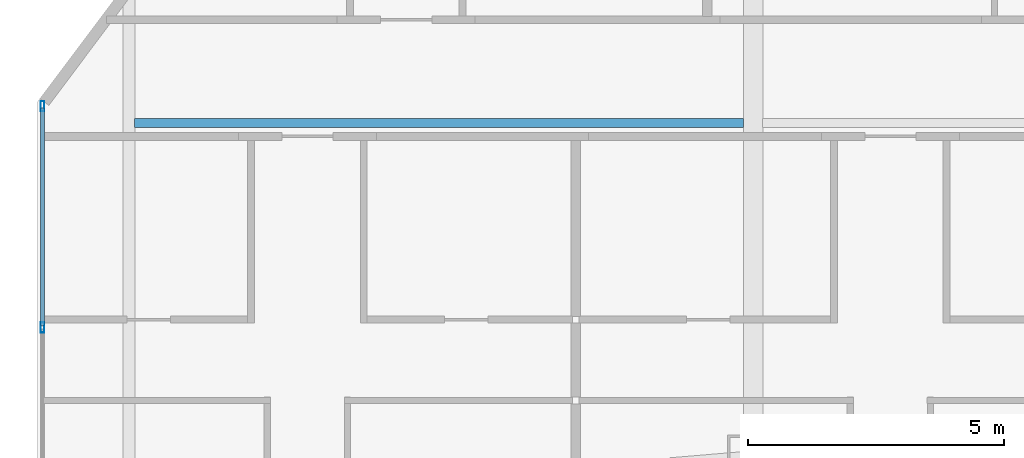
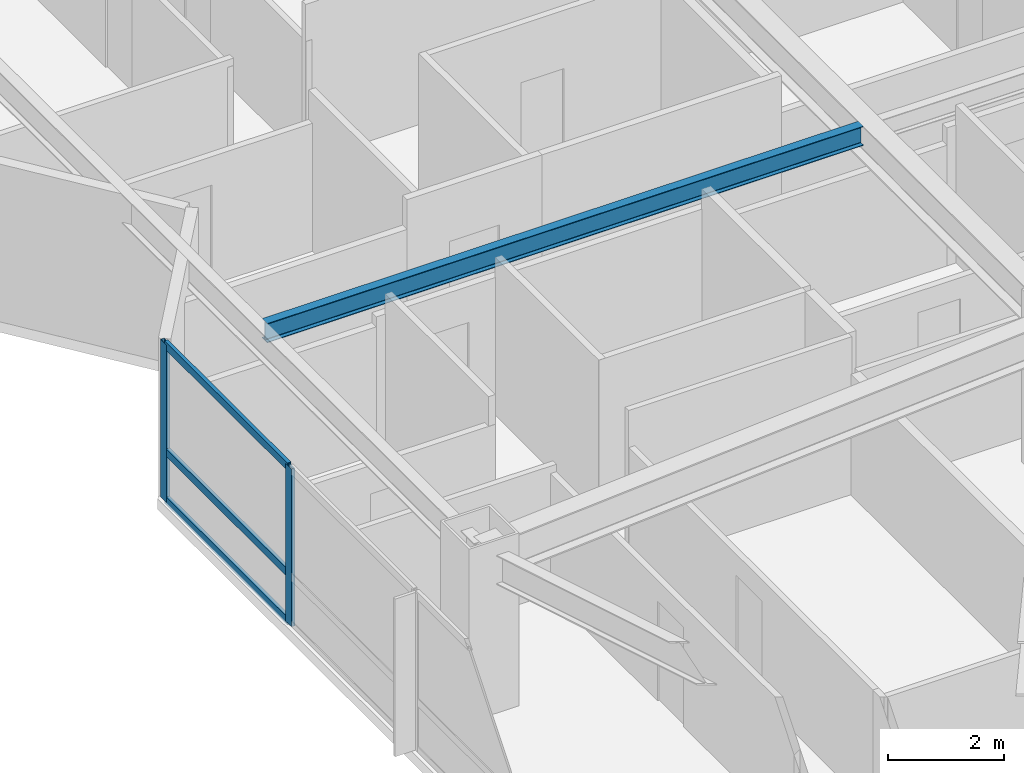
# One storey, part 6 of 18: 5 members, 1 beam, 1 element without a shape of its own.
"""IFC4 building model written with IfcOpenShell, lengths in metres."""

from ifc_helpers import new_model, si_unit, direction, frame, origin, origin_2d, place, context, subcontext, project, spatial, hollow_rectangle, i_section, extrude, material, material_profile, profile_set, type_object, element, aggregate, save


model = new_model("IFC4")

# Units and contexts
model_context = context("Model", 3, precision=1e-05, world=origin(), true_north=direction((0.0, 1.0)))
body_context = subcontext(model_context, "Body", "Model", "MODEL_VIEW")
ifc_project = project(units=[si_unit("LENGTHUNIT", "METRE"), si_unit("AREAUNIT", "SQUARE_METRE"), si_unit("VOLUMEUNIT", "CUBIC_METRE"), si_unit("PLANEANGLEUNIT", "RADIAN"), si_unit("MASSUNIT", "GRAM", prefix="KILO")], contexts=[model_context])

# Site, building, storey
site_placement = place(None, origin())
site = spatial("IfcSite", under=ifc_project, at=site_placement, CompositionType="ELEMENT")
building_placement = place(site_placement, origin())
building = spatial("IfcBuilding", under=site, at=building_placement, Name="Khamvora Tower", CompositionType="ELEMENT")
storey_placement = place(building_placement, frame((0.0, 0.0, 80.75)))
storey = spatial("IfcBuildingStorey", under=building, at=storey_placement, Name="L20", CompositionType="ELEMENT", Elevation=80.75)

# Beam
ifc_material_1 = material(Name="Steel S355", Category="steel")
ifc_material_profile_1 = material_profile(ifc_material_1, i_section(OverallWidth=0.177978515625, OverallDepth=0.406982421875, WebThickness=0.008056640625, FlangeThickness=0.012939453125, FilletRadius=0.010009765625, at=origin_2d()), Name="W410x60")
ifc_profile_set_1 = profile_set([ifc_material_profile_1], Name="Steel S355")
beam_type = type_object("IfcBeamType", Name="BM-JS-W410x60", PredefinedType="JOIST", material=ifc_profile_set_1)
beam_placement = place(storey_placement, frame((5.909912109375, 24.39990234375, 3.1259765625), z_axis=(1.0, 0.0, 0.0), x_axis=(0.0, 1.0, 0.0)))
element("IfcBeam", 1, at=beam_placement, inside=storey, type_object=beam_type, Name="L20 secondary floor joist 04", PredefinedType="JOIST", context=body_context, shape_type="SweptSolid", body=[
    extrude(i_section(OverallWidth=0.177978515625, OverallDepth=0.406982421875, WebThickness=0.008056640625, FlangeThickness=0.012939453125, FilletRadius=0.010009765625, at=origin_2d()), origin(), (0.0, 0.0, 1.0), 11.904052734375),
])

# Curtain wall, members
ifc_material_2 = material(Name="Anodised Aluminium 6063-T6", Category="aluminium")
curtain_wall_type = type_object("IfcCurtainWallType", Name="CW-SYS-02", PredefinedType="NOTDEFINED", material=ifc_material_2)
curtain_wall_placement = place(storey_placement, origin())
curtain_wall = element("IfcCurtainWall", 2, at=curtain_wall_placement, inside=storey, type_object=curtain_wall_type, Name="L20 stick curtain wall 02.1", PredefinedType="NOTDEFINED")
ifc_material_profile_2 = material_profile(ifc_material_2, hollow_rectangle(XDim=0.070068359375, YDim=0.199951171875, WallThickness=0.0048828125, at=origin_2d()), Name="MUL70x200x5")
ifc_profile_set_2 = profile_set([ifc_material_profile_2], Name="Anodised Aluminium 6063-T6")
member_type_1 = type_object("IfcMemberType", Name="CW-SYS-02-MUL", PredefinedType="MULLION", material=ifc_profile_set_2)
member_1_placement = place(storey_placement, frame((4.110107421875, 20.401611328125, 0.0), z_axis=(0.0, 0.0, 1.0), x_axis=(-1.0, 0.0, 0.0)))
member_1 = element("IfcMember", 3, at=member_1_placement, type_object=member_type_1, Name="CW-02 mullion 4", PredefinedType="MULLION", context=body_context, shape_type="SweptSolid", body=[
    extrude(hollow_rectangle(XDim=0.070068359375, YDim=0.199951171875, WallThickness=0.0048828125, at=origin_2d()), origin(), (0.0, 0.0, 1.0), 3.330078125),
])
member_2_placement = place(storey_placement, frame((4.110107421875, 24.72802734375, 0.0), z_axis=(0.0, 0.0, 1.0), x_axis=(-1.0, 0.0, 0.0)))
member_2 = element("IfcMember", 4, at=member_2_placement, type_object=member_type_1, Name="CW-02 mullion 5", PredefinedType="MULLION", context=body_context, shape_type="SweptSolid", body=[
    extrude(hollow_rectangle(XDim=0.070068359375, YDim=0.199951171875, WallThickness=0.0048828125, at=origin_2d()), origin(), (0.0, 0.0, 1.0), 3.330078125),
])
ifc_material_profile_3 = material_profile(ifc_material_2, hollow_rectangle(XDim=0.070068359375, YDim=0.1650390625, WallThickness=0.0048828125, at=origin_2d()), Name="TRN70x165x5")
ifc_profile_set_3 = profile_set([ifc_material_profile_3], Name="Anodised Aluminium 6063-T6")
member_type_2 = type_object("IfcMemberType", Name="CW-SYS-02-TRN", PredefinedType="USERDEFINED", material=ifc_profile_set_3)
member_3_placement = place(storey_placement, frame((4.110107421875, 20.4365234375, 0.034912109375), z_axis=(0.0, 1.0, 0.0), x_axis=(-1.0, 0.0, 0.0)))
member_3 = element("IfcMember", 5, at=member_3_placement, type_object=member_type_2, Name="CW-02 transom 4.1", ObjectType="TRANSOM", PredefinedType="USERDEFINED", context=body_context, shape_type="SweptSolid", body=[
    extrude(hollow_rectangle(XDim=0.070068359375, YDim=0.1650390625, WallThickness=0.0048828125, at=origin_2d()), origin(), (0.0, 0.0, 1.0), 4.256591796875),
])
member_4_placement = place(storey_placement, frame((4.110107421875, 20.4365234375, 1.050048828125), z_axis=(0.0, 1.0, 0.0), x_axis=(-1.0, 0.0, 0.0)))
member_4 = element("IfcMember", 6, at=member_4_placement, type_object=member_type_2, Name="CW-02 transom 4.2", ObjectType="TRANSOM", PredefinedType="USERDEFINED", context=body_context, shape_type="SweptSolid", body=[
    extrude(hollow_rectangle(XDim=0.070068359375, YDim=0.1650390625, WallThickness=0.0048828125, at=origin_2d()), origin(), (0.0, 0.0, 1.0), 4.256591796875),
])
member_5_placement = place(storey_placement, frame((4.110107421875, 20.4365234375, 3.294921875), z_axis=(0.0, 1.0, 0.0), x_axis=(-1.0, 0.0, 0.0)))
member_5 = element("IfcMember", 7, at=member_5_placement, type_object=member_type_2, Name="CW-02 transom 4.3", ObjectType="TRANSOM", PredefinedType="USERDEFINED", context=body_context, shape_type="SweptSolid", body=[
    extrude(hollow_rectangle(XDim=0.070068359375, YDim=0.1650390625, WallThickness=0.0048828125, at=origin_2d()), origin(), (0.0, 0.0, 1.0), 4.256591796875),
])
aggregate(curtain_wall, [member_1, member_2, member_3, member_4, member_5])

save(model, "model.ifc")
